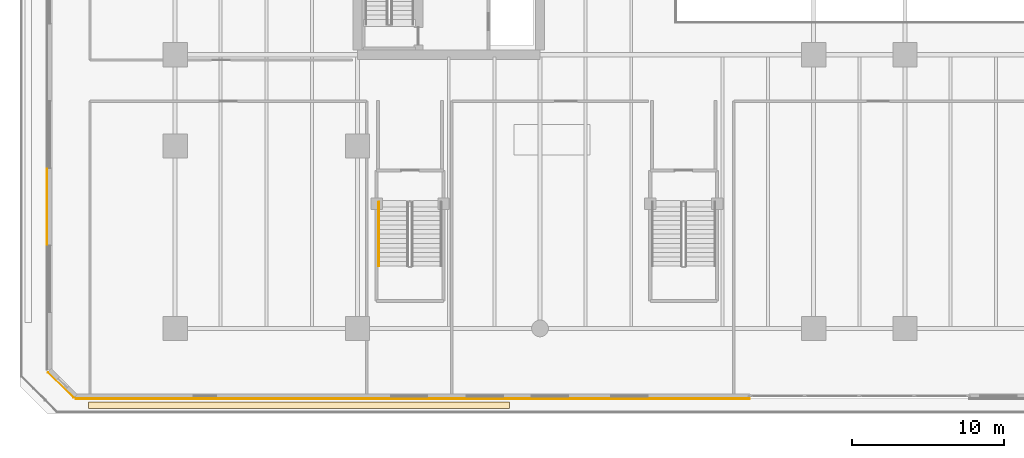
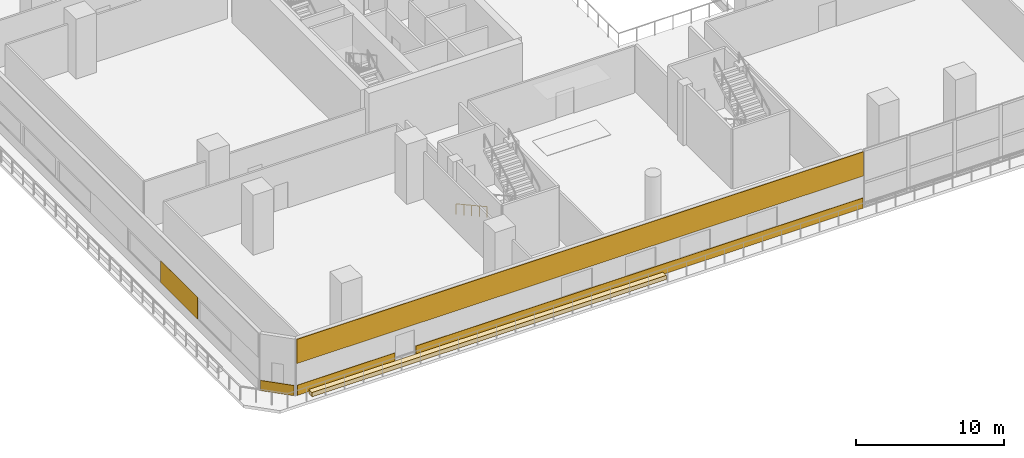
# One storey, part 18 of 27: 6 coverings, 1 railing.
"""IFC4 building model written with IfcOpenShell, lengths in metres."""

from ifc_helpers import new_model, si_unit, direction, frame, origin, origin_2d, place, context, subcontext, project, spatial, polyline, rectangle, outline, extrude, material, layer, layer_set, type_object, element, save


model = new_model("IFC4")

# Units and contexts
model_context = context("Model", 3, precision=1e-05, world=origin(), true_north=direction((0.0, 1.0)))
body_context = subcontext(model_context, "Body", "Model", "MODEL_VIEW")
ifc_project = project(units=[si_unit("LENGTHUNIT", "METRE"), si_unit("AREAUNIT", "SQUARE_METRE"), si_unit("VOLUMEUNIT", "CUBIC_METRE"), si_unit("PLANEANGLEUNIT", "RADIAN"), si_unit("MASSUNIT", "GRAM", prefix="KILO")], contexts=[model_context])

# Site, building, storey
site_placement = place(None, origin())
site = spatial("IfcSite", under=ifc_project, at=site_placement, CompositionType="ELEMENT")
building_placement = place(site_placement, origin())
building = spatial("IfcBuilding", under=site, at=building_placement, Name="Tanjung Sevakor Pilgrim Tower", CompositionType="ELEMENT")
storey_placement = place(building_placement, frame((0.0, 0.0, 9.89990234375)))
storey = spatial("IfcBuildingStorey", under=building, at=storey_placement, Name="L03", CompositionType="ELEMENT", Elevation=9.89990234375)

# Coverings
ifc_material_1 = material(Name="Reconstructed Limestone Cladding", Category="masonry")
ifc_layer_1 = layer(ifc_material_1, 0.044921875)
ifc_layer_set_1 = layer_set([ifc_layer_1], Name="COV-CLAD-LIMESTONE")
covering_type_1 = type_object("IfcCoveringType", Name="COV-CLAD-LIMESTONE", PredefinedType="CLADDING", material=ifc_layer_set_1)
covering_1_placement = place(storey_placement, frame((9.3271484375, 1.9775390625, 0.01025390625), z_axis=(0.0, 0.0, 1.0), x_axis=(1.0, 0.0, 0.0)))
element("IfcCovering", 1, at=covering_1_placement, inside=storey, type_object=covering_type_1, Name="L03 Warm Limestone Sill Spandrel EW-L03-S1-1", PredefinedType="CLADDING", context=body_context, shape_type="SweptSolid", body=[
    extrude(rectangle(XDim=7.64990234375, YDim=0.044921875, at=origin_2d()), origin(), (0.0, 0.0, 1.0), 0.840087890625),
])
covering_2_placement = place(storey_placement, frame((32.26611328125, 1.9775390625, 0.01025390625), z_axis=(0.0, 0.0, 1.0), x_axis=(1.0, 0.0, 0.0)))
element("IfcCovering", 2, at=covering_2_placement, inside=storey, type_object=covering_type_1, Name="L03 Warm Limestone Sill Spandrel EW-L03-S1-2", PredefinedType="CLADDING", context=body_context, shape_type="SweptSolid", body=[
    extrude(rectangle(XDim=34.98779296875, YDim=0.044921875, at=origin_2d()), origin(), (0.0, 0.0, 1.0), 0.840087890625),
])
covering_3_placement = place(storey_placement, frame((27.631103515625, 1.9775390625, 2.66015625), z_axis=(0.0, 0.0, 1.0), x_axis=(1.0, 0.0, 0.0)))
element("IfcCovering", 3, at=covering_3_placement, inside=storey, type_object=covering_type_1, Name="L03 Warm Limestone Cornice Spandrel EW-L03-S1", PredefinedType="CLADDING", context=body_context, shape_type="SweptSolid", body=[
    extrude(rectangle(XDim=44.2978515625, YDim=0.044921875, at=origin_2d()), origin(), (0.0, 0.0, 1.0), 2.0),
])
covering_4_placement = place(storey_placement, frame((3.577392578125, 14.60009765625, 0.85009765625), z_axis=(0.0, 0.0, 1.0), x_axis=(0.0, -1.0, 0.0)))
element("IfcCovering", 4, at=covering_4_placement, inside=storey, type_object=covering_type_1, Name="L03 Warm Limestone Pier Panel EW-L03-MAIN-7-4", PredefinedType="CLADDING", context=body_context, shape_type="SweptSolid", body=[
    extrude(rectangle(XDim=5.0, YDim=0.044921875, at=origin_2d()), origin(), (0.0, 0.0, 1.0), 1.81005859375),
])
covering_5_placement = place(storey_placement, frame((4.484130859375, 2.884033203125, 0.01025390625), z_axis=(0.0, 0.0, 1.0), x_axis=(0.707106781187, -0.707106781187, 0.0)))
element("IfcCovering", 5, at=covering_5_placement, inside=storey, type_object=covering_type_1, Name="L03 Warm Limestone Sill Spandrel EW-L03-MAIN-8-1", PredefinedType="CLADDING", context=body_context, shape_type="SweptSolid", body=[
    extrude(rectangle(XDim=2.34130859375, YDim=0.044921875, at=origin_2d()), origin(), (0.0, 0.0, 1.0), 0.840087890625),
])
ifc_material_2 = material(Name="Vegetated Modular Planter Assembly", Category="organic")
ifc_layer_2 = layer(ifc_material_2, 0.35009765625)
ifc_layer_set_2 = layer_set([ifc_layer_2], Name="COV-GRN-TROUGH")
covering_type_2 = type_object("IfcCoveringType", Name="COV-GRN-TROUGH", PredefinedType="CLADDING", material=ifc_layer_set_2)
covering_6_placement = place(storey_placement, origin())
element("IfcCovering", 6, at=covering_6_placement, inside=storey, type_object=covering_type_2, Name="L03 Planted Landscape Hedge Trough PGRN-L03-SW", PredefinedType="CLADDING", context=body_context, shape_type="SweptSolid", body=[
    extrude(outline(polyline([(6.300048828125, 1.330078125), (34.0, 1.330078125), (34.0, 1.77001953125), (6.300048828125, 1.77001953125), (6.300048828125, 1.330078125)])), origin(), (0.0, 0.0, 1.0), 0.35009765625),
])

# Railing
ifc_material_3 = material(Name="Steel S355J2", Category="steel")
railing_type = type_object("IfcRailingType", Name="RL-STAIR-HAND", PredefinedType="HANDRAIL", material=ifc_material_3)
railing_placement = place(storey_placement, frame((25.39990234375, 14.89990234375, 0.1650390625)))
element("IfcRailing", 7, at=railing_placement, inside=storey, type_object=railing_type, Name="L03 PS-1 stair handrail 1", PredefinedType="HANDRAIL", context=body_context, shape_type="SweptSolid", body=[
    extrude(rectangle(XDim=0.0479, YDim=0.0479), frame((0.0, 0.0, 0.8759765625), z_axis=(0.0, -0.876208380975, 0.481932436249), x_axis=(1.0, 0.0, 0.0)), (0.0, 0.0, 1.0), 4.793212890625),
    extrude(rectangle(XDim=0.042, YDim=0.042), origin(), (0.0, 0.0, 1.0), 0.851806640625),
    extrude(rectangle(XDim=0.042, YDim=0.042), frame((0.0, -1.050048828125, 0.57763671875)), (0.0, 0.0, 1.0), 0.851806640625),
    extrude(rectangle(XDim=0.042, YDim=0.042), frame((0.0, -2.10009765625, 1.155029296875)), (0.0, 0.0, 1.0), 0.851806640625),
    extrude(rectangle(XDim=0.042, YDim=0.042), frame((0.0, -3.14990234375, 1.732421875)), (0.0, 0.0, 1.0), 0.851806640625),
    extrude(rectangle(XDim=0.042, YDim=0.042), frame((0.0, -4.199951171875, 2.31005859375)), (0.0, 0.0, 1.0), 0.851806640625),
])

save(model, "model.ifc")
